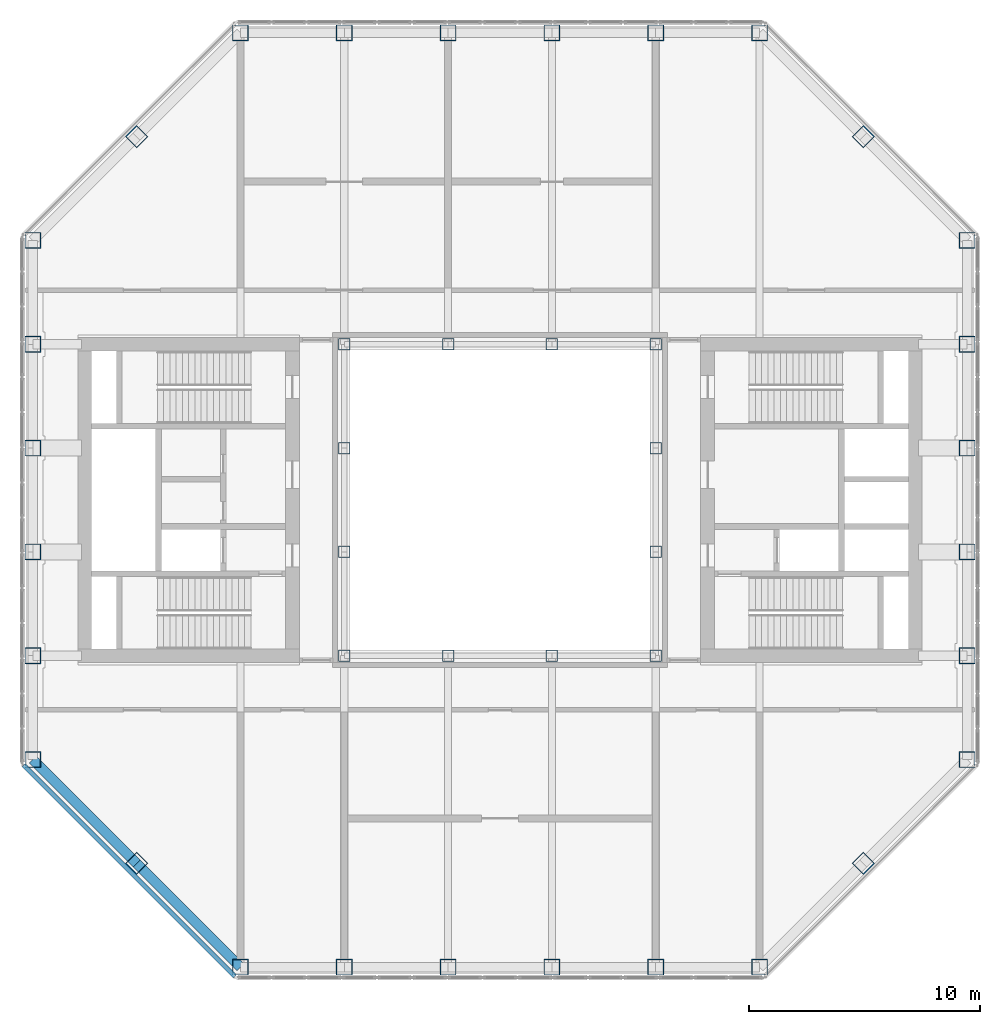
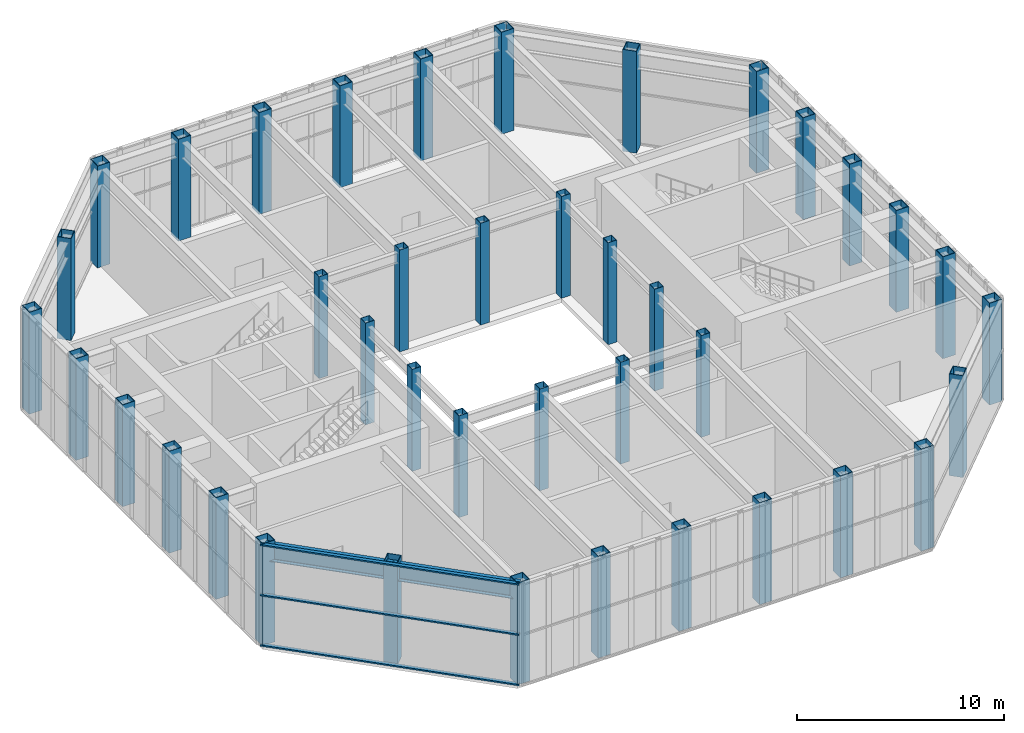
# One storey, part 1 of 12: 40 columns, 3 members, 2 beams, 1 element without a shape of its own.
"""IFC4 building model written with IfcOpenShell, lengths in metres."""

from ifc_helpers import new_model, si_unit, direction, frame, origin, origin_2d, place, context, subcontext, project, spatial, rectangle, hollow_rectangle, i_section, extrude, material, material_profile, profile_set, type_object, element, aggregate, save


model = new_model("IFC4")

# Units and contexts
model_context = context("Model", 3, precision=1e-05, world=origin(), true_north=direction((0.0, 1.0)))
body_context = subcontext(model_context, "Body", "Model", "MODEL_VIEW")
ifc_project = project(units=[si_unit("LENGTHUNIT", "METRE"), si_unit("AREAUNIT", "SQUARE_METRE"), si_unit("VOLUMEUNIT", "CUBIC_METRE"), si_unit("PLANEANGLEUNIT", "RADIAN"), si_unit("MASSUNIT", "GRAM", prefix="KILO")], contexts=[model_context])

# Site, building, storey
site_placement = place(None, origin())
site = spatial("IfcSite", under=ifc_project, at=site_placement, CompositionType="ELEMENT")
building_placement = place(site_placement, origin())
building = spatial("IfcBuilding", under=site, at=building_placement, Name="Msasa Ring Tower", CompositionType="ELEMENT")
storey_placement = place(building_placement, frame((0.0, 0.0, 262.050048828125)))
storey = spatial("IfcBuildingStorey", under=building, at=storey_placement, Name="L68", CompositionType="ELEMENT", Elevation=262.050048828125)

# Columns
ifc_material_1 = material(Name="Steel S355", Category="steel")
ifc_material_profile_1 = material_profile(ifc_material_1, hollow_rectangle(XDim=0.5, YDim=0.5, WallThickness=0.02490234375, at=origin_2d()), Name="BOX 500x500x25")
ifc_profile_set_1 = profile_set([ifc_material_profile_1], Name="Steel S355")
column_type_1 = type_object("IfcColumnType", Name="IC7 BOX 500x500x25", PredefinedType="COLUMN", material=ifc_profile_set_1)
for number, where, z_axis, x_axis, name in (
    (1, (-6.75, -6.75, 0.0), (0.0, 0.0, 1.0), (1.0, 0.0, 0.0), "Inner ring column IR-6.75-6.75 L68"),
    (2, (-6.75, -2.25, 0.0), (0.0, 0.0, 1.0), (1.0, 0.0, 0.0), "Inner ring column IR-6.75-2.25 L68"),
    (3, (-6.75, 2.25, 0.0), (0.0, 0.0, 1.0), (1.0, 0.0, 0.0), "Inner ring column IR-6.75+2.25 L68"),
    (4, (-6.75, 6.75, 0.0), (0.0, 0.0, 1.0), (1.0, 0.0, 0.0), "Inner ring column IR-6.75+6.75 L68"),
    (5, (-2.25, -6.75, 0.0), (0.0, 0.0, 1.0), (1.0, 0.0, 0.0), "Inner ring column IR-2.25-6.75 L68"),
    (6, (-2.25, 6.75, 0.0), (0.0, 0.0, 1.0), (1.0, 0.0, 0.0), "Inner ring column IR-2.25+6.75 L68"),
    (7, (2.25, -6.75, 0.0), (0.0, 0.0, 1.0), (1.0, 0.0, 0.0), "Inner ring column IR+2.25-6.75 L68"),
    (8, (2.25, 6.75, 0.0), (0.0, 0.0, 1.0), (1.0, 0.0, 0.0), "Inner ring column IR+2.25+6.75 L68"),
    (9, (6.75, -6.75, 0.0), (0.0, 0.0, 1.0), (1.0, 0.0, 0.0), "Inner ring column IR+6.75-6.75 L68"),
    (10, (6.75, -2.25, 0.0), (0.0, 0.0, 1.0), (1.0, 0.0, 0.0), "Inner ring column IR+6.75-2.25 L68"),
    (11, (6.75, 2.25, 0.0), (0.0, 0.0, 1.0), (1.0, 0.0, 0.0), "Inner ring column IR+6.75+2.25 L68"),
    (12, (6.75, 6.75, 0.0), (0.0, 0.0, 1.0), (1.0, 0.0, 0.0), "Inner ring column IR+6.75+6.75 L68"),
):
    element("IfcColumn", number, at=place(storey_placement, frame(where, z_axis=z_axis, x_axis=x_axis)), inside=storey, type_object=column_type_1, Name=name, PredefinedType="COLUMN", context=body_context, shape_type="SweptSolid", body=[
        extrude(hollow_rectangle(XDim=0.5, YDim=0.5, WallThickness=0.02490234375, at=origin_2d()), origin(), (0.0, 0.0, 1.0), 6.0),
    ])
ifc_material_2 = material(Name="Steel S355", Category="steel")
ifc_material_profile_2 = material_profile(ifc_material_2, hollow_rectangle(XDim=0.699951171875, YDim=0.699951171875, WallThickness=0.034912109375, at=origin_2d()), Name="BOX 700x700x35")
ifc_profile_set_2 = profile_set([ifc_material_profile_2], Name="Steel S355")
column_type_2 = type_object("IfcColumnType", Name="TC8 BOX 700x700x35", PredefinedType="COLUMN", material=ifc_profile_set_2)
for number, where, z_axis, x_axis, name in (
    (13, (-11.25, -20.25, 0.0), (0.0, 0.0, 1.0), (0.0, 1.0, 0.0), "Tube column S-11.25 L68"),
    (14, (-11.25, 20.25, 0.0), (0.0, 0.0, 1.0), (0.0, 1.0, 0.0), "Tube column N-11.25 L68"),
    (15, (20.25, -11.25, 0.0), (0.0, 0.0, 1.0), (1.0, 0.0, 0.0), "Tube column E-11.25 L68"),
    (16, (-20.25, -11.25, 0.0), (0.0, 0.0, 1.0), (1.0, 0.0, 0.0), "Tube column W-11.25 L68"),
    (17, (-6.75, -20.25, 0.0), (0.0, 0.0, 1.0), (0.0, 1.0, 0.0), "Tube column S-6.75 L68"),
    (18, (-6.75, 20.25, 0.0), (0.0, 0.0, 1.0), (0.0, 1.0, 0.0), "Tube column N-6.75 L68"),
    (19, (20.25, -6.75, 0.0), (0.0, 0.0, 1.0), (1.0, 0.0, 0.0), "Tube column E-6.75 L68"),
    (20, (-20.25, -6.75, 0.0), (0.0, 0.0, 1.0), (1.0, 0.0, 0.0), "Tube column W-6.75 L68"),
    (21, (-2.25, -20.25, 0.0), (0.0, 0.0, 1.0), (0.0, 1.0, 0.0), "Tube column S-2.25 L68"),
    (22, (-2.25, 20.25, 0.0), (0.0, 0.0, 1.0), (0.0, 1.0, 0.0), "Tube column N-2.25 L68"),
    (23, (20.25, -2.25, 0.0), (0.0, 0.0, 1.0), (1.0, 0.0, 0.0), "Tube column E-2.25 L68"),
    (24, (-20.25, -2.25, 0.0), (0.0, 0.0, 1.0), (1.0, 0.0, 0.0), "Tube column W-2.25 L68"),
    (25, (2.25, -20.25, 0.0), (0.0, 0.0, 1.0), (0.0, 1.0, 0.0), "Tube column S+2.25 L68"),
    (26, (2.25, 20.25, 0.0), (0.0, 0.0, 1.0), (0.0, 1.0, 0.0), "Tube column N+2.25 L68"),
    (27, (20.25, 2.25, 0.0), (0.0, 0.0, 1.0), (1.0, 0.0, 0.0), "Tube column E+2.25 L68"),
    (28, (-20.25, 2.25, 0.0), (0.0, 0.0, 1.0), (1.0, 0.0, 0.0), "Tube column W+2.25 L68"),
    (29, (6.75, -20.25, 0.0), (0.0, 0.0, 1.0), (0.0, 1.0, 0.0), "Tube column S+6.75 L68"),
    (30, (6.75, 20.25, 0.0), (0.0, 0.0, 1.0), (0.0, 1.0, 0.0), "Tube column N+6.75 L68"),
    (31, (20.25, 6.75, 0.0), (0.0, 0.0, 1.0), (1.0, 0.0, 0.0), "Tube column E+6.75 L68"),
    (32, (-20.25, 6.75, 0.0), (0.0, 0.0, 1.0), (1.0, 0.0, 0.0), "Tube column W+6.75 L68"),
    (33, (11.25, -20.25, 0.0), (0.0, 0.0, 1.0), (0.0, 1.0, 0.0), "Tube column S+11.25 L68"),
    (34, (11.25, 20.25, 0.0), (0.0, 0.0, 1.0), (0.0, 1.0, 0.0), "Tube column N+11.25 L68"),
    (35, (20.25, 11.25, 0.0), (0.0, 0.0, 1.0), (1.0, 0.0, 0.0), "Tube column E+11.25 L68"),
    (36, (-20.25, 11.25, 0.0), (0.0, 0.0, 1.0), (1.0, 0.0, 0.0), "Tube column W+11.25 L68"),
    (37, (15.75, -15.75, 0.0), (0.0, 0.0, 1.0), (0.707106781187, -0.707106781187, 0.0), "Tube column SE L68"),
    (38, (15.75, 15.75, 0.0), (0.0, 0.0, 1.0), (0.707106781187, 0.707106781187, 0.0), "Tube column NE L68"),
    (39, (-15.75, 15.75, 0.0), (0.0, 0.0, 1.0), (0.707106781187, -0.707106781187, 0.0), "Tube column NW L68"),
    (40, (-15.75, -15.75, 0.0), (0.0, 0.0, 1.0), (0.707106781187, 0.707106781187, 0.0), "Tube column SW L68"),
):
    element("IfcColumn", number, at=place(storey_placement, frame(where, z_axis=z_axis, x_axis=x_axis)), inside=storey, type_object=column_type_2, Name=name, PredefinedType="COLUMN", context=body_context, shape_type="SweptSolid", body=[
        extrude(hollow_rectangle(XDim=0.699951171875, YDim=0.699951171875, WallThickness=0.034912109375, at=origin_2d()), origin(), (0.0, 0.0, 1.0), 6.0),
    ])

# Curtain wall, members
ifc_material_3 = material(Name="Aluminium curtain wall with clear glass", Category="aluminium")
curtain_wall_type = type_object("IfcCurtainWallType", Name="CW-L LANTERN CURTAIN WALL", PredefinedType="NOTDEFINED", material=ifc_material_3)
curtain_wall_placement = place(storey_placement, origin())
curtain_wall = element("IfcCurtainWall", 41, at=curtain_wall_placement, inside=storey, type_object=curtain_wall_type, Name="Lantern curtain wall SW L68", PredefinedType="NOTDEFINED")
ifc_material_4 = material(Name="Aluminium transom", Category="aluminium")
ifc_material_profile_3 = material_profile(ifc_material_4, rectangle(XDim=0.199951171875, YDim=0.080078125, at=origin_2d()), Name="AL 80x200")
ifc_profile_set_3 = profile_set([ifc_material_profile_3], Name="Aluminium transom")
member_type = type_object("IfcMemberType", Name="CW-L TRANSOM 80x200", PredefinedType="USERDEFINED", material=ifc_profile_set_3)
member_1_placement = place(storey_placement, frame((-20.643310546875, -11.492919921875, 0.0400390625), z_axis=(0.707106781187, -0.707106781187, 0.0), x_axis=(0.707106781187, 0.707106781187, 0.0)))
member_1 = element("IfcMember", 42, at=member_1_placement, type_object=member_type, Name="CW-L transom 1.1", ObjectType="TRANSOM", PredefinedType="USERDEFINED", context=body_context, shape_type="SweptSolid", body=[
    extrude(rectangle(XDim=0.199951171875, YDim=0.080078125, at=origin_2d()), origin(), (0.0, 0.0, 1.0), 12.940673828125),
])
member_2_placement = place(storey_placement, frame((-20.643310546875, -11.492919921875, 3.0), z_axis=(0.707106781187, -0.707106781187, 0.0), x_axis=(0.707106781187, 0.707106781187, 0.0)))
member_2 = element("IfcMember", 43, at=member_2_placement, type_object=member_type, Name="CW-L transom 1.2", ObjectType="TRANSOM", PredefinedType="USERDEFINED", context=body_context, shape_type="SweptSolid", body=[
    extrude(rectangle(XDim=0.199951171875, YDim=0.080078125, at=origin_2d()), origin(), (0.0, 0.0, 1.0), 12.940673828125),
])
member_3_placement = place(storey_placement, frame((-20.643310546875, -11.492919921875, 5.9599609375), z_axis=(0.707106781187, -0.707106781187, 0.0), x_axis=(0.707106781187, 0.707106781187, 0.0)))
member_3 = element("IfcMember", 44, at=member_3_placement, type_object=member_type, Name="CW-L transom 1.3", ObjectType="TRANSOM", PredefinedType="USERDEFINED", context=body_context, shape_type="SweptSolid", body=[
    extrude(rectangle(XDim=0.199951171875, YDim=0.080078125, at=origin_2d()), origin(), (0.0, 0.0, 1.0), 12.940673828125),
])
aggregate(curtain_wall, [member_1, member_2, member_3])

# Beams
ifc_material_5 = material(Name="Steel S355", Category="steel")
ifc_material_profile_4 = material_profile(ifc_material_5, i_section(OverallWidth=0.42041015625, OverallDepth=0.9208984375, WebThickness=0.021484375, FlangeThickness=0.03662109375, FilletRadius=0.024169921875, at=origin_2d()), Name="UB 914x419x388")
ifc_profile_set_4 = profile_set([ifc_material_profile_4], Name="Steel S355")
beam_type = type_object("IfcBeamType", Name="SB1 UB 914x419x388", PredefinedType="SPANDREL", material=ifc_profile_set_4)
for number, where, z_axis, x_axis, name in (
    (45, (-20.25, -11.25, 5.28955078125), (0.707106781187, -0.707106781187, 0.0), (0.707106781187, 0.707106781187, 0.0), "Spandrel W-11.25 to SW under L69"),
    (46, (-15.75, -15.75, 5.28955078125), (0.707106781187, -0.707106781187, 0.0), (0.707106781187, 0.707106781187, 0.0), "Spandrel SW to S-11.25 under L69"),
):
    element("IfcBeam", number, at=place(storey_placement, frame(where, z_axis=z_axis, x_axis=x_axis)), inside=storey, type_object=beam_type, Name=name, PredefinedType="SPANDREL", context=body_context, shape_type="SweptSolid", body=[
        extrude(i_section(OverallWidth=0.42041015625, OverallDepth=0.9208984375, WebThickness=0.021484375, FlangeThickness=0.03662109375, FilletRadius=0.024169921875, at=origin_2d()), origin(), (0.0, 0.0, 1.0), 6.364013671875),
    ])

save(model, "model.ifc")
